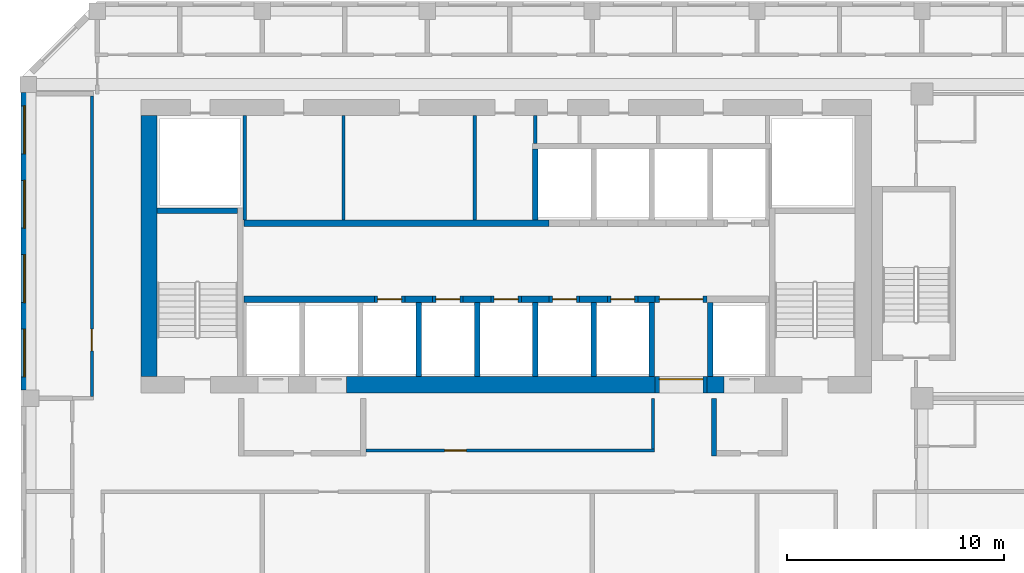
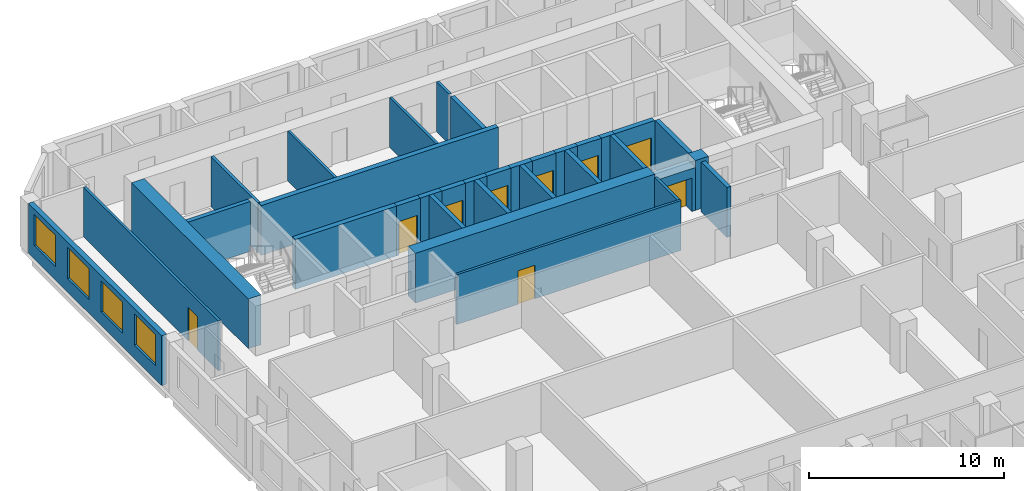
# One storey, part 7 of 23: 34 walls, 9 doors, 4 windows, 13 openings.
"""IFC4 building model written with IfcOpenShell, lengths in metres."""

from ifc_helpers import new_model, si_unit, direction, frame, frame_2d, origin, place, context, subcontext, project, spatial, rectangle, extrude, source, transform, mapped, material, layer, layer_set, type_object, element, fill, save


model = new_model("IFC4")

# Units and contexts
model_context = context("Model", 3, precision=1e-05, world=origin(), true_north=direction((0.0, 1.0)))
body_context = subcontext(model_context, "Body", "Model", "MODEL_VIEW")
ifc_project = project(units=[si_unit("LENGTHUNIT", "METRE"), si_unit("AREAUNIT", "SQUARE_METRE"), si_unit("VOLUMEUNIT", "CUBIC_METRE"), si_unit("PLANEANGLEUNIT", "RADIAN"), si_unit("MASSUNIT", "GRAM", prefix="KILO")], contexts=[model_context])

# Site, building, storey
site_placement = place(None, origin())
site = spatial("IfcSite", under=ifc_project, at=site_placement, CompositionType="ELEMENT")
building_placement = place(site_placement, origin())
building = spatial("IfcBuilding", under=site, at=building_placement, Name="Kilnfold Tower and Market Hall", CompositionType="ELEMENT")
storey_placement = place(building_placement, frame((0.0, 0.0, 203.300048828125)))
storey = spatial("IfcBuildingStorey", under=building, at=storey_placement, Name="L49", CompositionType="ELEMENT", Elevation=203.300048828125)

# Wall, opening, door
ifc_material_1 = material(Name="Gypsum board on steel studs", Category="steel")
ifc_layer_1 = layer(ifc_material_1, 0.14990234375)
ifc_layer_set_1 = layer_set([ifc_layer_1], Name="Gypsum board on steel studs")
wall_type_1 = type_object("IfcWallType", Name="WALL CORRIDOR 150", PredefinedType="PARTITIONING", material=ifc_layer_set_1)
wall_1_placement = place(storey_placement, frame((-18.0, 21.89990234375, 0.0), z_axis=(0.0, 0.0, 1.0), x_axis=(0.0, -1.0, 0.0)))
wall_1 = element("IfcWall", 1, at=wall_1_placement, inside=storey, type_object=wall_type_1, Name="Partition LY30.8", PredefinedType="PARTITIONING", context=body_context, shape_type="SweptSolid", body=[
    extrude(rectangle(XDim=13.824951171875, YDim=0.14990234375, at=frame_2d((6.91259765625, 0.0))), origin(), (0.0, 0.0, 1.0), 3.119873046875),
])
opening_1_placement = place(wall_1_placement, frame((10.720947265625, 0.0, 0.0)))
opening_1 = element("IfcOpeningElement", 2, at=opening_1_placement, cuts=wall_1, Name="Opening D4", PredefinedType="OPENING", context=body_context, shape_type="SweptSolid", body=[
    extrude(rectangle(XDim=1.0, YDim=2.10009765625, at=frame_2d((0.5, 1.050048828125))), frame((0.0, 0.0849609375, 0.0), z_axis=(0.0, -1.0, 0.0), x_axis=(1.0, 0.0, 0.0)), (0.0, 0.0, 1.0), 0.169921875),
])
ifc_material_2 = material(Name="Timber veneer door leaf in steel frame", Category="steel")
door_type_1 = type_object("IfcDoorType", Name="DOOR SERVICE 1000 X2100", OperationType="NOTDEFINED", PredefinedType="DOOR", material=ifc_material_2)
door_1_placement = place(opening_1_placement, origin())
door_1 = element("IfcDoor", 3, at=door_1_placement, inside=storey, type_object=door_type_1, Name="Door D4", OperationType="SINGLE_SWING_RIGHT", OverallHeight=2.10009765625, OverallWidth=1.0, PredefinedType="DOOR", context=body_context, shape_type="SweptSolid", body=[
    extrude(rectangle(XDim=1.0, YDim=2.10009765625, at=frame_2d((0.5, 1.050048828125))), frame((0.0, 0.02490234375, 0.0), z_axis=(0.0, -1.0, 0.0), x_axis=(1.0, 0.0, 0.0)), (0.0, 0.0, 1.0), 0.050048828125),
])
fill(opening_1, door_1)

wall_2_placement = place(storey_placement, frame((7.875, 5.60009765625, 0.0), z_axis=(0.0, 0.0, 1.0), x_axis=(-1.0, 0.0, 0.0)))
wall_2 = element("IfcWall", 4, at=wall_2_placement, inside=storey, type_object=wall_type_1, Name="Partition LY30.32", PredefinedType="PARTITIONING", context=body_context, shape_type="SweptSolid", body=[
    extrude(rectangle(XDim=13.27490234375, YDim=0.14990234375, at=frame_2d((6.637451171875, 0.0))), origin(), (0.0, 0.0, 1.0), 3.119873046875),
])
opening_2_placement = place(wall_2_placement, frame((8.653076171875, 0.0, 0.0)))
opening_2 = element("IfcOpeningElement", 5, at=opening_2_placement, cuts=wall_2, Name="Opening D1", PredefinedType="OPENING", context=body_context, shape_type="SweptSolid", body=[
    extrude(rectangle(XDim=1.0, YDim=2.10009765625, at=frame_2d((0.5, 1.050048828125))), frame((0.0, 0.0849609375, 0.0), z_axis=(0.0, -1.0, 0.0), x_axis=(1.0, 0.0, 0.0)), (0.0, 0.0, 1.0), 0.169921875),
])
ifc_material_3 = material(Name="Timber veneer door leaf in steel frame", Category="steel")
door_type_2 = type_object("IfcDoorType", Name="DOOR ENTRY 1000 X2100", OperationType="NOTDEFINED", PredefinedType="DOOR", material=ifc_material_3)
door_2_placement = place(opening_2_placement, origin())
door_2 = element("IfcDoor", 6, at=door_2_placement, inside=storey, type_object=door_type_2, Name="Door D1", OperationType="SINGLE_SWING_LEFT", OverallHeight=2.10009765625, OverallWidth=1.0, PredefinedType="DOOR", context=body_context, shape_type="SweptSolid", body=[
    extrude(rectangle(XDim=1.0, YDim=2.10009765625, at=frame_2d((0.5, 1.050048828125))), frame((0.0, 0.02490234375, 0.0), z_axis=(0.0, -1.0, 0.0), x_axis=(1.0, 0.0, 0.0)), (0.0, 0.0, 1.0), 0.050048828125),
])
fill(opening_2, door_2)

# Walls
wall_3_placement = place(storey_placement, frame((7.800048828125, 8.0, 0.0), z_axis=(0.0, 0.0, 1.0), x_axis=(0.0, -1.0, 0.0)))
element("IfcWall", 7, at=wall_3_placement, inside=storey, type_object=wall_type_1, Name="Partition LY30.33", PredefinedType="PARTITIONING", context=body_context, shape_type="SweptSolid", body=[
    extrude(rectangle(XDim=2.324951171875, YDim=0.14990234375, at=frame_2d((1.16259765625, 0.0))), origin(), (0.0, 0.0, 1.0), 3.119873046875),
])
ifc_material_4 = material(Name="Concrete C60", Category="concrete")
ifc_layer_2 = layer(ifc_material_4, 0.25)
ifc_layer_set_2 = layer_set([ifc_layer_2], Name="Concrete C60")
wall_type_2 = type_object("IfcWallType", Name="CORE WALL 250 C60", PredefinedType="SHEAR", material=ifc_layer_set_2)
shared_shape_1 = source(origin(), body_context, "Body", "SweptSolid", [
    extrude(rectangle(XDim=3.699951171875, YDim=0.25, at=frame_2d((1.85009765625, 0.0))), origin(), (0.0, 0.0, 1.0), 3.119873046875),
])
wall_4_placement = place(storey_placement, frame((-15.0, 16.625, 0.0), z_axis=(0.0, 0.0, 1.0), x_axis=(1.0, 0.0, 0.0)))
element("IfcWall", 8, at=wall_4_placement, inside=storey, type_object=wall_type_2, Name="Stair enclosure ST1", PredefinedType="SHEAR", context=body_context, shape_type="MappedRepresentation", body=[
    mapped(shared_shape_1, transform((0.0, 0.0, 0.0))),
])
ifc_material_5 = material(Name="Concrete C60", Category="concrete")
ifc_layer_3 = layer(ifc_material_5, 0.300048828125)
ifc_layer_set_3 = layer_set([ifc_layer_3], Name="Concrete C60")
wall_type_3 = type_object("IfcWallType", Name="CORE WALL 300 C60", PredefinedType="SHEAR", material=ifc_layer_set_3)
shared_shape_2 = source(origin(), body_context, "Body", "SweptSolid", [
    extrude(rectangle(XDim=6.0, YDim=0.300048828125, at=frame_2d((3.0, 0.0))), origin(), (0.0, 0.0, 1.0), 3.119873046875),
])
wall_5_placement = place(storey_placement, frame((-11.010009765625, 12.550048828125, 0.0), z_axis=(0.0, 0.0, 1.0), x_axis=(1.0, 0.0, 0.0)))
element("IfcWall", 9, at=wall_5_placement, inside=storey, type_object=wall_type_3, Name="Core spine wall", PredefinedType="SHEAR", context=body_context, shape_type="MappedRepresentation", body=[
    mapped(shared_shape_2, transform((0.0, 0.0, 0.0))),
])
shared_shape_3 = source(origin(), body_context, "Body", "SweptSolid", [
    extrude(rectangle(XDim=1.280029296875, YDim=0.300048828125, at=frame_2d((0.64013671875, 0.0))), origin(), (0.0, 0.0, 1.0), 3.119873046875),
])
for number, where, z_axis, x_axis, name in (
    (10, (-3.610107421875, 12.550048828125, 0.0), (0.0, 0.0, 1.0), (1.0, 0.0, 0.0), "Core spine wall"),
    (11, (-0.929931640625, 12.550048828125, 0.0), (0.0, 0.0, 1.0), (1.0, 0.0, 0.0), "Core spine wall"),
    (12, (1.75, 12.550048828125, 0.0), (0.0, 0.0, 1.0), (1.0, 0.0, 0.0), "Core spine wall"),
    (13, (4.429931640625, 12.550048828125, 0.0), (0.0, 0.0, 1.0), (1.0, 0.0, 0.0), "Core spine wall"),
):
    element("IfcWall", number, at=place(storey_placement, frame(where, z_axis=z_axis, x_axis=x_axis)), inside=storey, type_object=wall_type_3, Name=name, PredefinedType="SHEAR", context=body_context, shape_type="MappedRepresentation", body=[
        mapped(shared_shape_3, transform((0.0, 0.0, 0.0))),
    ])
shared_shape_4 = source(origin(), body_context, "Body", "SweptSolid", [
    extrude(rectangle(XDim=0.77978515625, YDim=0.300048828125, at=frame_2d((0.389892578125, 0.0))), origin(), (0.0, 0.0, 1.0), 3.119873046875),
])
wall_6_placement = place(storey_placement, frame((7.110107421875, 12.550048828125, 0.0), z_axis=(0.0, 0.0, 1.0), x_axis=(1.0, 0.0, 0.0)))
element("IfcWall", 14, at=wall_6_placement, inside=storey, type_object=wall_type_3, Name="Core spine wall", PredefinedType="SHEAR", context=body_context, shape_type="MappedRepresentation", body=[
    mapped(shared_shape_4, transform((0.0, 0.0, 0.0))),
])
shared_shape_5 = source(origin(), body_context, "Body", "SweptSolid", [
    extrude(rectangle(XDim=14.0400390625, YDim=0.300048828125, at=frame_2d((7.02001953125, 0.0))), origin(), (0.0, 0.0, 1.0), 3.119873046875),
])
wall_7_placement = place(storey_placement, frame((-11.010009765625, 16.050048828125, 0.0), z_axis=(0.0, 0.0, 1.0), x_axis=(1.0, 0.0, 0.0)))
element("IfcWall", 15, at=wall_7_placement, inside=storey, type_object=wall_type_3, Name="Core spine wall", PredefinedType="SHEAR", context=body_context, shape_type="MappedRepresentation", body=[
    mapped(shared_shape_5, transform((0.0, 0.0, 0.0))),
])
ifc_material_6 = material(Name="Concrete C60", Category="concrete")
ifc_layer_4 = layer(ifc_material_6, 0.75)
ifc_layer_set_4 = layer_set([ifc_layer_4], Name="Concrete C60")
wall_type_4 = type_object("IfcWallType", Name="CORE WALL 750 C60", PredefinedType="SHEAR", material=ifc_layer_set_4)
shared_shape_6 = source(origin(), body_context, "Body", "SweptSolid", [
    extrude(rectangle(XDim=14.179931640625, YDim=0.75, at=frame_2d((7.08984375, 0.0))), origin(), (0.0, 0.0, 1.0), 3.119873046875),
])
wall_8_placement = place(storey_placement, frame((-6.2900390625, 8.625, 0.0), z_axis=(0.0, 0.0, 1.0), x_axis=(1.0, 0.0, 0.0)))
element("IfcWall", 16, at=wall_8_placement, inside=storey, type_object=wall_type_4, Name="Core outer wall south", PredefinedType="SHEAR", context=body_context, shape_type="MappedRepresentation", body=[
    mapped(shared_shape_6, transform((0.0, 0.0, 0.0))),
])
shared_shape_7 = source(origin(), body_context, "Body", "SweptSolid", [
    extrude(rectangle(XDim=0.780029296875, YDim=0.75, at=frame_2d((0.39013671875, 0.0))), origin(), (0.0, 0.0, 1.0), 3.119873046875),
])
wall_9_placement = place(storey_placement, frame((10.2900390625, 8.625, 0.0), z_axis=(0.0, 0.0, 1.0), x_axis=(1.0, 0.0, 0.0)))
element("IfcWall", 17, at=wall_9_placement, inside=storey, type_object=wall_type_4, Name="Core outer wall south", PredefinedType="SHEAR", context=body_context, shape_type="MappedRepresentation", body=[
    mapped(shared_shape_7, transform((0.0, 0.0, 0.0))),
])
shared_shape_8 = source(origin(), body_context, "Body", "SweptSolid", [
    extrude(rectangle(XDim=12.0, YDim=0.75, at=frame_2d((6.0, 0.0))), origin(), (0.0, 0.0, 1.0), 3.119873046875),
])
wall_10_placement = place(storey_placement, frame((-15.375, 9.0, 0.0), z_axis=(0.0, 0.0, 1.0), x_axis=(0.0, 1.0, 0.0)))
element("IfcWall", 18, at=wall_10_placement, inside=storey, type_object=wall_type_4, Name="Core outer wall west", PredefinedType="SHEAR", context=body_context, shape_type="MappedRepresentation", body=[
    mapped(shared_shape_8, transform((0.0, 0.0, 0.0))),
])

# Wall, openings, windows
ifc_material_7 = material(Name="Precast concrete C50/60", Category="concrete")
ifc_layer_5 = layer(ifc_material_7, 0.300048828125)
ifc_layer_set_5 = layer_set([ifc_layer_5], Name="Precast concrete C50/60")
wall_type_5 = type_object("IfcWallType", Name="PRECAST WALL 300", PredefinedType="SOLIDWALL", material=ifc_layer_set_5)
shared_shape_9 = source(origin(), body_context, "Body", "SweptSolid", [
    extrude(rectangle(XDim=13.681884765625, YDim=0.300048828125, at=frame_2d((6.8408203125, 0.0))), origin(), (0.0, 0.0, 1.0), 3.119873046875),
])
wall_11_placement = place(storey_placement, frame((-21.10009765625, 22.056884765625, 0.0), z_axis=(0.0, 0.0, 1.0), x_axis=(0.0, -1.0, 0.0)))
wall_11 = element("IfcWall", 19, at=wall_11_placement, inside=storey, type_object=wall_type_5, Name="External wall L49 W", PredefinedType="SOLIDWALL", context=body_context, shape_type="MappedRepresentation", body=[
    mapped(shared_shape_9, transform((0.0, 0.0, 0.0))),
])
opening_3_placement = place(wall_11_placement, frame((0.610107421875, 0.0, 0.85009765625)))
opening_3 = element("IfcOpeningElement", 20, at=opening_3_placement, cuts=wall_11, Name="Opening W2", PredefinedType="OPENING", context=body_context, shape_type="SweptSolid", body=[
    extrude(rectangle(XDim=2.199951171875, YDim=1.949951171875, at=frame_2d((1.10009765625, 0.97509765625))), frame((0.0, 0.16015625, 0.0), z_axis=(0.0, -1.0, 0.0), x_axis=(1.0, 0.0, 0.0)), (0.0, 0.0, 1.0), 0.320068359375),
])
opening_4_placement = place(wall_11_placement, frame((4.030517578125, 0.0, 0.85009765625)))
opening_4 = element("IfcOpeningElement", 21, at=opening_4_placement, cuts=wall_11, Name="Opening W2", PredefinedType="OPENING", context=body_context, shape_type="SweptSolid", body=[
    extrude(rectangle(XDim=2.199951171875, YDim=1.949951171875, at=frame_2d((1.10009765625, 0.97509765625))), frame((0.0, 0.16015625, 0.0), z_axis=(0.0, -1.0, 0.0), x_axis=(1.0, 0.0, 0.0)), (0.0, 0.0, 1.0), 0.320068359375),
])
opening_5_placement = place(wall_11_placement, frame((7.451171875, 0.0, 0.85009765625)))
opening_5 = element("IfcOpeningElement", 22, at=opening_5_placement, cuts=wall_11, Name="Opening W2", PredefinedType="OPENING", context=body_context, shape_type="SweptSolid", body=[
    extrude(rectangle(XDim=2.199951171875, YDim=1.949951171875, at=frame_2d((1.10009765625, 0.97509765625))), frame((0.0, 0.16015625, 0.0), z_axis=(0.0, -1.0, 0.0), x_axis=(1.0, 0.0, 0.0)), (0.0, 0.0, 1.0), 0.320068359375),
])
opening_6_placement = place(wall_11_placement, frame((10.87158203125, 0.0, 0.85009765625)))
opening_6 = element("IfcOpeningElement", 23, at=opening_6_placement, cuts=wall_11, Name="Opening W2", PredefinedType="OPENING", context=body_context, shape_type="SweptSolid", body=[
    extrude(rectangle(XDim=2.199951171875, YDim=1.949951171875, at=frame_2d((1.10009765625, 0.97509765625))), frame((0.0, 0.16015625, 0.0), z_axis=(0.0, -1.0, 0.0), x_axis=(1.0, 0.0, 0.0)), (0.0, 0.0, 1.0), 0.320068359375),
])
ifc_material_8 = material(Name="Aluminium frame and double glazing", Category="aluminium")
window_type = type_object("IfcWindowType", Name="WINDOW W2 2200X1950", PartitioningType="SINGLE_PANEL", PredefinedType="WINDOW", material=ifc_material_8)
window_1_placement = place(opening_3_placement, origin())
window_1 = element("IfcWindow", 24, at=window_1_placement, inside=storey, type_object=window_type, Name="Window W2 L49 W-1", OverallHeight=1.949951171875, OverallWidth=2.199951171875, PartitioningType="SINGLE_PANEL", PredefinedType="WINDOW", context=body_context, shape_type="SweptSolid", body=[
    extrude(rectangle(XDim=2.199951171875, YDim=1.949951171875, at=frame_2d((1.10009765625, 0.97509765625))), frame((0.0, 0.030029296875, 0.0), z_axis=(0.0, -1.0, 0.0), x_axis=(1.0, 0.0, 0.0)), (0.0, 0.0, 1.0), 0.06005859375),
])
fill(opening_3, window_1)
window_2_placement = place(opening_4_placement, origin())
window_2 = element("IfcWindow", 25, at=window_2_placement, inside=storey, type_object=window_type, Name="Window W2 L49 W-2", OverallHeight=1.949951171875, OverallWidth=2.199951171875, PartitioningType="SINGLE_PANEL", PredefinedType="WINDOW", context=body_context, shape_type="SweptSolid", body=[
    extrude(rectangle(XDim=2.199951171875, YDim=1.949951171875, at=frame_2d((1.10009765625, 0.97509765625))), frame((0.0, 0.030029296875, 0.0), z_axis=(0.0, -1.0, 0.0), x_axis=(1.0, 0.0, 0.0)), (0.0, 0.0, 1.0), 0.06005859375),
])
fill(opening_4, window_2)
window_3_placement = place(opening_5_placement, origin())
window_3 = element("IfcWindow", 26, at=window_3_placement, inside=storey, type_object=window_type, Name="Window W2 L49 W-3", OverallHeight=1.949951171875, OverallWidth=2.199951171875, PartitioningType="SINGLE_PANEL", PredefinedType="WINDOW", context=body_context, shape_type="SweptSolid", body=[
    extrude(rectangle(XDim=2.199951171875, YDim=1.949951171875, at=frame_2d((1.10009765625, 0.97509765625))), frame((0.0, 0.030029296875, 0.0), z_axis=(0.0, -1.0, 0.0), x_axis=(1.0, 0.0, 0.0)), (0.0, 0.0, 1.0), 0.06005859375),
])
fill(opening_5, window_3)
window_4_placement = place(opening_6_placement, origin())
window_4 = element("IfcWindow", 27, at=window_4_placement, inside=storey, type_object=window_type, Name="Window W2 L49 W-4", OverallHeight=1.949951171875, OverallWidth=2.199951171875, PartitioningType="SINGLE_PANEL", PredefinedType="WINDOW", context=body_context, shape_type="SweptSolid", body=[
    extrude(rectangle(XDim=2.199951171875, YDim=1.949951171875, at=frame_2d((1.10009765625, 0.97509765625))), frame((0.0, 0.030029296875, 0.0), z_axis=(0.0, -1.0, 0.0), x_axis=(1.0, 0.0, 0.0)), (0.0, 0.0, 1.0), 0.06005859375),
])
fill(opening_6, window_4)

# Wall, opening, door
ifc_material_9 = material(Name="Gypsum shaft wall system")
ifc_layer_6 = layer(ifc_material_9, 0.300048828125)
ifc_layer_set_6 = layer_set([ifc_layer_6], Name="Gypsum shaft wall system")
wall_type_6 = type_object("IfcWallType", Name="SHAFT WALL 300", PredefinedType="PARTITIONING", material=ifc_layer_set_6)
shared_shape_10 = source(origin(), body_context, "Body", "SweptSolid", [
    extrude(rectangle(XDim=1.39990234375, YDim=0.300048828125, at=frame_2d((0.699951171875, 0.0))), origin(), (0.0, 0.0, 1.0), 3.119873046875),
])
wall_12_placement = place(storey_placement, frame((-5.010009765625, 12.550048828125, 0.0), z_axis=(0.0, 0.0, 1.0), x_axis=(1.0, 0.0, 0.0)))
wall_12 = element("IfcWall", 28, at=wall_12_placement, inside=storey, type_object=wall_type_6, Name="Lift shaft front wall", PredefinedType="PARTITIONING", context=body_context, shape_type="MappedRepresentation", body=[
    mapped(shared_shape_10, transform((0.0, 0.0, 0.0))),
])
opening_7_placement = place(wall_12_placement, frame((0.14990234375, 0.0, 0.0)))
opening_7 = element("IfcOpeningElement", 29, at=opening_7_placement, cuts=wall_12, Name="Opening LD2", PredefinedType="OPENING", context=body_context, shape_type="SweptSolid", body=[
    extrude(rectangle(XDim=1.10009765625, YDim=2.10009765625, at=frame_2d((0.550048828125, 1.050048828125))), frame((0.0, 0.16015625, 0.0), z_axis=(0.0, -1.0, 0.0), x_axis=(1.0, 0.0, 0.0)), (0.0, 0.0, 1.0), 0.320068359375),
])
ifc_material_10 = material(Name="Steel door set with fire-resisting leaf", Category="steel")
door_type_3 = type_object("IfcDoorType", Name="LANDING DOOR 1100X2100", OperationType="NOTDEFINED", PredefinedType="DOOR", material=ifc_material_10)
door_3_placement = place(opening_7_placement, origin())
door_3 = element("IfcDoor", 30, at=door_3_placement, inside=storey, type_object=door_type_3, Name="Landing door MR1", OperationType="DOUBLE_DOOR_SLIDING", OverallHeight=2.10009765625, OverallWidth=1.10009765625, PredefinedType="DOOR", context=body_context, shape_type="SweptSolid", body=[
    extrude(rectangle(XDim=1.10009765625, YDim=2.10009765625, at=frame_2d((0.550048828125, 1.050048828125))), frame((0.0, 0.02490234375, 0.0), z_axis=(0.0, -1.0, 0.0), x_axis=(1.0, 0.0, 0.0)), (0.0, 0.0, 1.0), 0.050048828125),
])
fill(opening_7, door_3)

wall_13_placement = place(storey_placement, frame((0.35009765625, 12.550048828125, 0.0), z_axis=(0.0, 0.0, 1.0), x_axis=(1.0, 0.0, 0.0)))
wall_13 = element("IfcWall", 31, at=wall_13_placement, inside=storey, type_object=wall_type_6, Name="Lift shaft front wall", PredefinedType="PARTITIONING", context=body_context, shape_type="MappedRepresentation", body=[
    mapped(shared_shape_10, transform((0.0, 0.0, 0.0))),
])
opening_8_placement = place(wall_13_placement, frame((0.14990234375, 0.0, 0.0)))
opening_8 = element("IfcOpeningElement", 32, at=opening_8_placement, cuts=wall_13, Name="Opening LD2", PredefinedType="OPENING", context=body_context, shape_type="SweptSolid", body=[
    extrude(rectangle(XDim=1.10009765625, YDim=2.10009765625, at=frame_2d((0.550048828125, 1.050048828125))), frame((0.0, 0.16015625, 0.0), z_axis=(0.0, -1.0, 0.0), x_axis=(1.0, 0.0, 0.0)), (0.0, 0.0, 1.0), 0.320068359375),
])
door_4_placement = place(opening_8_placement, origin())
door_4 = element("IfcDoor", 33, at=door_4_placement, inside=storey, type_object=door_type_3, Name="Landing door MR3", OperationType="DOUBLE_DOOR_SLIDING", OverallHeight=2.10009765625, OverallWidth=1.10009765625, PredefinedType="DOOR", context=body_context, shape_type="SweptSolid", body=[
    extrude(rectangle(XDim=1.10009765625, YDim=2.10009765625, at=frame_2d((0.550048828125, 1.050048828125))), frame((0.0, 0.02490234375, 0.0), z_axis=(0.0, -1.0, 0.0), x_axis=(1.0, 0.0, 0.0)), (0.0, 0.0, 1.0), 0.050048828125),
])
fill(opening_8, door_4)

wall_14_placement = place(storey_placement, frame((3.030029296875, 12.550048828125, 0.0), z_axis=(0.0, 0.0, 1.0), x_axis=(1.0, 0.0, 0.0)))
wall_14 = element("IfcWall", 34, at=wall_14_placement, inside=storey, type_object=wall_type_6, Name="Lift shaft front wall", PredefinedType="PARTITIONING", context=body_context, shape_type="MappedRepresentation", body=[
    mapped(shared_shape_10, transform((0.0, 0.0, 0.0))),
])
opening_9_placement = place(wall_14_placement, frame((0.14990234375, 0.0, 0.0)))
opening_9 = element("IfcOpeningElement", 35, at=opening_9_placement, cuts=wall_14, Name="Opening LD2", PredefinedType="OPENING", context=body_context, shape_type="SweptSolid", body=[
    extrude(rectangle(XDim=1.10009765625, YDim=2.10009765625, at=frame_2d((0.550048828125, 1.050048828125))), frame((0.0, 0.16015625, 0.0), z_axis=(0.0, -1.0, 0.0), x_axis=(1.0, 0.0, 0.0)), (0.0, 0.0, 1.0), 0.320068359375),
])
door_5_placement = place(opening_9_placement, origin())
door_5 = element("IfcDoor", 36, at=door_5_placement, inside=storey, type_object=door_type_3, Name="Landing door MR4", OperationType="DOUBLE_DOOR_SLIDING", OverallHeight=2.10009765625, OverallWidth=1.10009765625, PredefinedType="DOOR", context=body_context, shape_type="SweptSolid", body=[
    extrude(rectangle(XDim=1.10009765625, YDim=2.10009765625, at=frame_2d((0.550048828125, 1.050048828125))), frame((0.0, 0.02490234375, 0.0), z_axis=(0.0, -1.0, 0.0), x_axis=(1.0, 0.0, 0.0)), (0.0, 0.0, 1.0), 0.050048828125),
])
fill(opening_9, door_5)

shared_shape_11 = source(origin(), body_context, "Body", "SweptSolid", [
    extrude(rectangle(XDim=1.400146484375, YDim=0.300048828125, at=frame_2d((0.7001953125, 0.0))), origin(), (0.0, 0.0, 1.0), 3.119873046875),
])
wall_15_placement = place(storey_placement, frame((-2.330078125, 12.550048828125, 0.0), z_axis=(0.0, 0.0, 1.0), x_axis=(1.0, 0.0, 0.0)))
wall_15 = element("IfcWall", 37, at=wall_15_placement, inside=storey, type_object=wall_type_6, Name="Lift shaft front wall", PredefinedType="PARTITIONING", context=body_context, shape_type="MappedRepresentation", body=[
    mapped(shared_shape_11, transform((0.0, 0.0, 0.0))),
])
opening_10_placement = place(wall_15_placement, frame((0.14990234375, 0.0, 0.0)))
opening_10 = element("IfcOpeningElement", 38, at=opening_10_placement, cuts=wall_15, Name="Opening LD2", PredefinedType="OPENING", context=body_context, shape_type="SweptSolid", body=[
    extrude(rectangle(XDim=1.10009765625, YDim=2.10009765625, at=frame_2d((0.550048828125, 1.050048828125))), frame((0.0, 0.16015625, 0.0), z_axis=(0.0, -1.0, 0.0), x_axis=(1.0, 0.0, 0.0)), (0.0, 0.0, 1.0), 0.320068359375),
])
door_6_placement = place(opening_10_placement, origin())
door_6 = element("IfcDoor", 39, at=door_6_placement, inside=storey, type_object=door_type_3, Name="Landing door MR2", OperationType="DOUBLE_DOOR_SLIDING", OverallHeight=2.10009765625, OverallWidth=1.10009765625, PredefinedType="DOOR", context=body_context, shape_type="SweptSolid", body=[
    extrude(rectangle(XDim=1.10009765625, YDim=2.10009765625, at=frame_2d((0.550048828125, 1.050048828125))), frame((0.0, 0.02490234375, 0.0), z_axis=(0.0, -1.0, 0.0), x_axis=(1.0, 0.0, 0.0)), (0.0, 0.0, 1.0), 0.050048828125),
])
fill(opening_10, door_6)

wall_16_placement = place(storey_placement, frame((5.7099609375, 12.550048828125, 0.0), z_axis=(0.0, 0.0, 1.0), x_axis=(1.0, 0.0, 0.0)))
wall_16 = element("IfcWall", 40, at=wall_16_placement, inside=storey, type_object=wall_type_6, Name="Lift shaft front wall", PredefinedType="PARTITIONING", context=body_context, shape_type="MappedRepresentation", body=[
    mapped(shared_shape_11, transform((0.0, 0.0, 0.0))),
])
opening_11_placement = place(wall_16_placement, frame((0.14990234375, 0.0, 0.0)))
opening_11 = element("IfcOpeningElement", 41, at=opening_11_placement, cuts=wall_16, Name="Opening LD2", PredefinedType="OPENING", context=body_context, shape_type="SweptSolid", body=[
    extrude(rectangle(XDim=1.10009765625, YDim=2.10009765625, at=frame_2d((0.550048828125, 1.050048828125))), frame((0.0, 0.16015625, 0.0), z_axis=(0.0, -1.0, 0.0), x_axis=(1.0, 0.0, 0.0)), (0.0, 0.0, 1.0), 0.320068359375),
])
door_7_placement = place(opening_11_placement, origin())
door_7 = element("IfcDoor", 42, at=door_7_placement, inside=storey, type_object=door_type_3, Name="Landing door MR5", OperationType="DOUBLE_DOOR_SLIDING", OverallHeight=2.10009765625, OverallWidth=1.10009765625, PredefinedType="DOOR", context=body_context, shape_type="SweptSolid", body=[
    extrude(rectangle(XDim=1.10009765625, YDim=2.10009765625, at=frame_2d((0.550048828125, 1.050048828125))), frame((0.0, 0.02490234375, 0.0), z_axis=(0.0, -1.0, 0.0), x_axis=(1.0, 0.0, 0.0)), (0.0, 0.0, 1.0), 0.050048828125),
])
fill(opening_11, door_7)

shared_shape_12 = source(origin(), body_context, "Body", "SweptSolid", [
    extrude(rectangle(XDim=2.400146484375, YDim=0.300048828125, at=frame_2d((1.2001953125, 0.0))), origin(), (0.0, 0.0, 1.0), 3.119873046875),
])
wall_17_placement = place(storey_placement, frame((7.889892578125, 12.550048828125, 0.0), z_axis=(0.0, 0.0, 1.0), x_axis=(1.0, 0.0, 0.0)))
wall_17 = element("IfcWall", 43, at=wall_17_placement, inside=storey, type_object=wall_type_6, Name="Lift shaft front wall", PredefinedType="PARTITIONING", context=body_context, shape_type="MappedRepresentation", body=[
    mapped(shared_shape_12, transform((0.0, 0.0, 0.0))),
])
opening_12_placement = place(wall_17_placement, frame((0.199951171875, 0.0, 0.0)))
opening_12 = element("IfcOpeningElement", 44, at=opening_12_placement, cuts=wall_17, Name="Opening VD2", PredefinedType="OPENING", context=body_context, shape_type="SweptSolid", body=[
    extrude(rectangle(XDim=2.0, YDim=2.10009765625, at=frame_2d((1.0, 1.050048828125))), frame((0.0, 0.16015625, 0.0), z_axis=(0.0, -1.0, 0.0), x_axis=(1.0, 0.0, 0.0)), (0.0, 0.0, 1.0), 0.320068359375),
])
ifc_material_11 = material(Name="Steel door set with fire-resisting leaf", Category="steel")
door_type_4 = type_object("IfcDoorType", Name="LIFT LOBBY ENTRANCE DOOR 2000X2100", OperationType="NOTDEFINED", PredefinedType="DOOR", material=ifc_material_11)
door_8_placement = place(opening_12_placement, origin())
door_8 = element("IfcDoor", 45, at=door_8_placement, inside=storey, type_object=door_type_4, Name="Lift lobby entrance door", OperationType="DOUBLE_DOOR_SINGLE_SWING", OverallHeight=2.10009765625, OverallWidth=2.0, PredefinedType="DOOR", context=body_context, shape_type="SweptSolid", body=[
    extrude(rectangle(XDim=2.0, YDim=2.10009765625, at=frame_2d((1.0, 1.050048828125))), frame((0.0, 0.02490234375, 0.0), z_axis=(0.0, -1.0, 0.0), x_axis=(1.0, 0.0, 0.0)), (0.0, 0.0, 1.0), 0.050048828125),
])
fill(opening_12, door_8)

# Walls
ifc_material_12 = material(Name="Gypsum shaft wall system")
ifc_layer_7 = layer(ifc_material_12, 0.25)
ifc_layer_set_7 = layer_set([ifc_layer_7], Name="Gypsum shaft wall system")
wall_type_7 = type_object("IfcWallType", Name="LOBBY WALL 250", PredefinedType="PARTITIONING", material=ifc_layer_set_7)
shared_shape_13 = source(origin(), body_context, "Body", "SweptSolid", [
    extrude(rectangle(XDim=2.64990234375, YDim=0.25, at=frame_2d((1.324951171875, 0.0))), origin(), (0.0, 0.0, 1.0), 3.119873046875),
])
wall_18_placement = place(storey_placement, frame((10.60498046875, 5.35009765625, 0.0), z_axis=(0.0, 0.0, 1.0), x_axis=(0.0, 1.0, 0.0)))
element("IfcWall", 46, at=wall_18_placement, inside=storey, type_object=wall_type_7, Name="Firefighting lobby wall", PredefinedType="PARTITIONING", context=body_context, shape_type="MappedRepresentation", body=[
    mapped(shared_shape_13, transform((0.0, 0.0, 0.0))),
])
ifc_material_13 = material(Name="Gypsum shaft wall system")
ifc_layer_8 = layer(ifc_material_13, 0.1650390625)
ifc_layer_set_8 = layer_set([ifc_layer_8], Name="Gypsum shaft wall system")
wall_type_8 = type_object("IfcWallType", Name="SHAFT WALL 165", PredefinedType="PARTITIONING", material=ifc_layer_set_8)
shared_shape_14 = source(origin(), body_context, "Body", "SweptSolid", [
    extrude(rectangle(XDim=4.800048828125, YDim=0.1650390625, at=frame_2d((2.39990234375, 0.0))), origin(), (0.0, 0.0, 1.0), 3.119873046875),
])
wall_19_placement = place(storey_placement, frame((-10.967529296875, 16.199951171875, 0.0), z_axis=(0.0, 0.0, 1.0), x_axis=(0.0, 1.0, 0.0)))
element("IfcWall", 47, at=wall_19_placement, inside=storey, type_object=wall_type_8, Name="Lift shaft wall", PredefinedType="PARTITIONING", context=body_context, shape_type="MappedRepresentation", body=[
    mapped(shared_shape_14, transform((0.0, 0.0, 0.0))),
])
ifc_material_14 = material(Name="Gypsum shaft wall system")
ifc_layer_9 = layer(ifc_material_14, 0.25)
ifc_layer_set_9 = layer_set([ifc_layer_9], Name="Gypsum shaft wall system")
wall_type_9 = type_object("IfcWallType", Name="SHAFT WALL 250", PredefinedType="PARTITIONING", material=ifc_layer_set_9)
shared_shape_15 = source(origin(), body_context, "Body", "SweptSolid", [
    extrude(rectangle(XDim=3.275146484375, YDim=0.25, at=frame_2d((1.6376953125, 0.0))), origin(), (0.0, 0.0, 1.0), 3.119873046875),
])
wall_20_placement = place(storey_placement, frame((2.389892578125, 16.199951171875, 0.0), z_axis=(0.0, 0.0, 1.0), x_axis=(0.0, 1.0, 0.0)))
element("IfcWall", 48, at=wall_20_placement, inside=storey, type_object=wall_type_9, Name="Lift shaft wall", PredefinedType="PARTITIONING", context=body_context, shape_type="MappedRepresentation", body=[
    mapped(shared_shape_15, transform((0.0, 0.0, 0.0))),
])
shared_shape_16 = source(origin(), body_context, "Body", "SweptSolid", [
    extrude(rectangle(XDim=3.39990234375, YDim=0.25, at=frame_2d((1.699951171875, 0.0))), origin(), (0.0, 0.0, 1.0), 3.119873046875),
])
for number, where, z_axis, x_axis, name in (
    (49, (10.429931640625, 9.0, 0.0), (0.0, 0.0, 1.0), (0.0, 1.0, 0.0), "Lift shaft wall"),
    (50, (2.389892578125, 9.0, 0.0), (0.0, 0.0, 1.0), (0.0, 1.0, 0.0), "Lift shaft wall"),
    (51, (5.070068359375, 9.0, 0.0), (0.0, 0.0, 1.0), (0.0, 1.0, 0.0), "Lift shaft wall"),
    (52, (7.75, 9.0, 0.0), (0.0, 0.0, 1.0), (0.0, 1.0, 0.0), "Lift shaft wall"),
    (53, (-0.2900390625, 9.0, 0.0), (0.0, 0.0, 1.0), (0.0, 1.0, 0.0), "Lift shaft wall"),
    (54, (-2.969970703125, 9.0, 0.0), (0.0, 0.0, 1.0), (0.0, 1.0, 0.0), "Lift shaft wall"),
):
    element("IfcWall", number, at=place(storey_placement, frame(where, z_axis=z_axis, x_axis=x_axis)), inside=storey, type_object=wall_type_9, Name=name, PredefinedType="PARTITIONING", context=body_context, shape_type="MappedRepresentation", body=[
        mapped(shared_shape_16, transform((0.0, 0.0, 0.0))),
    ])
ifc_material_15 = material(Name="Gypsum shaft wall system")
ifc_layer_10 = layer(ifc_material_15, 0.14990234375)
ifc_layer_set_10 = layer_set([ifc_layer_10], Name="Gypsum shaft wall system")
wall_type_10 = type_object("IfcWallType", Name="ROOM WALL 150", PredefinedType="PARTITIONING", material=ifc_layer_set_10)
shared_shape_17 = source(origin(), body_context, "Body", "SweptSolid", [
    extrude(rectangle(XDim=4.800048828125, YDim=0.14990234375, at=frame_2d((2.39990234375, 0.0))), origin(), (0.0, 0.0, 1.0), 3.119873046875),
])
for number, where, z_axis, x_axis, name in (
    (55, (-6.42724609375, 16.199951171875, 0.0), (0.0, 0.0, 1.0), (0.0, 1.0, 0.0), "Core room wall"),
    (56, (-0.397216796875, 16.199951171875, 0.0), (0.0, 0.0, 1.0), (0.0, 1.0, 0.0), "Core room wall"),
):
    element("IfcWall", number, at=place(storey_placement, frame(where, z_axis=z_axis, x_axis=x_axis)), inside=storey, type_object=wall_type_10, Name=name, PredefinedType="PARTITIONING", context=body_context, shape_type="MappedRepresentation", body=[
        mapped(shared_shape_17, transform((0.0, 0.0, 0.0))),
    ])
shared_shape_18 = source(origin(), body_context, "Body", "SweptSolid", [
    extrude(rectangle(XDim=1.27490234375, YDim=0.14990234375, at=frame_2d((0.637451171875, 0.0))), origin(), (0.0, 0.0, 1.0), 3.119873046875),
])
wall_21_placement = place(storey_placement, frame((2.389892578125, 19.72509765625, 0.0), z_axis=(0.0, 0.0, 1.0), x_axis=(0.0, 1.0, 0.0)))
element("IfcWall", 57, at=wall_21_placement, inside=storey, type_object=wall_type_10, Name="Core room wall", PredefinedType="PARTITIONING", context=body_context, shape_type="MappedRepresentation", body=[
    mapped(shared_shape_18, transform((0.0, 0.0, 0.0))),
])

# Wall, opening, door
ifc_material_16 = material(Name="Gypsum shaft wall system")
ifc_layer_11 = layer(ifc_material_16, 0.75)
ifc_layer_set_11 = layer_set([ifc_layer_11], Name="Gypsum shaft wall system")
wall_type_11 = type_object("IfcWallType", Name="LOBBY WALL 750", PredefinedType="PARTITIONING", material=ifc_layer_set_11)
shared_shape_19 = source(origin(), body_context, "Body", "SweptSolid", [
    extrude(rectangle(XDim=2.400146484375, YDim=0.75, at=frame_2d((1.2001953125, 0.0))), origin(), (0.0, 0.0, 1.0), 2.699951171875),
])
wall_22_placement = place(storey_placement, frame((7.889892578125, 8.625, 0.0), z_axis=(0.0, 0.0, 1.0), x_axis=(1.0, 0.0, 0.0)))
wall_22 = element("IfcWall", 58, at=wall_22_placement, inside=storey, type_object=wall_type_11, Name="Core wall infill", PredefinedType="PARTITIONING", context=body_context, shape_type="MappedRepresentation", body=[
    mapped(shared_shape_19, transform((0.0, 0.0, 0.0))),
])
opening_13_placement = place(wall_22_placement, frame((0.199951171875, 0.0, 0.0)))
opening_13 = element("IfcOpeningElement", 59, at=opening_13_placement, cuts=wall_22, Name="Opening VD2", PredefinedType="OPENING", context=body_context, shape_type="SweptSolid", body=[
    extrude(rectangle(XDim=2.0, YDim=2.10009765625, at=frame_2d((1.0, 1.050048828125))), frame((0.0, 0.385009765625, 0.0), z_axis=(0.0, -1.0, 0.0), x_axis=(1.0, 0.0, 0.0)), (0.0, 0.0, 1.0), 0.77001953125),
])
door_9_placement = place(opening_13_placement, origin())
door_9 = element("IfcDoor", 60, at=door_9_placement, inside=storey, type_object=door_type_4, Name="Lift lobby entrance door", OperationType="DOUBLE_DOOR_SINGLE_SWING", OverallHeight=2.10009765625, OverallWidth=2.0, PredefinedType="DOOR", context=body_context, shape_type="SweptSolid", body=[
    extrude(rectangle(XDim=2.0, YDim=2.10009765625, at=frame_2d((1.0, 1.050048828125))), frame((0.0, 0.27978515625, 0.0), z_axis=(0.0, -1.0, 0.0), x_axis=(1.0, 0.0, 0.0)), (0.0, 0.0, 1.0), 0.050048828125),
])
fill(opening_13, door_9)

save(model, "model.ifc")
